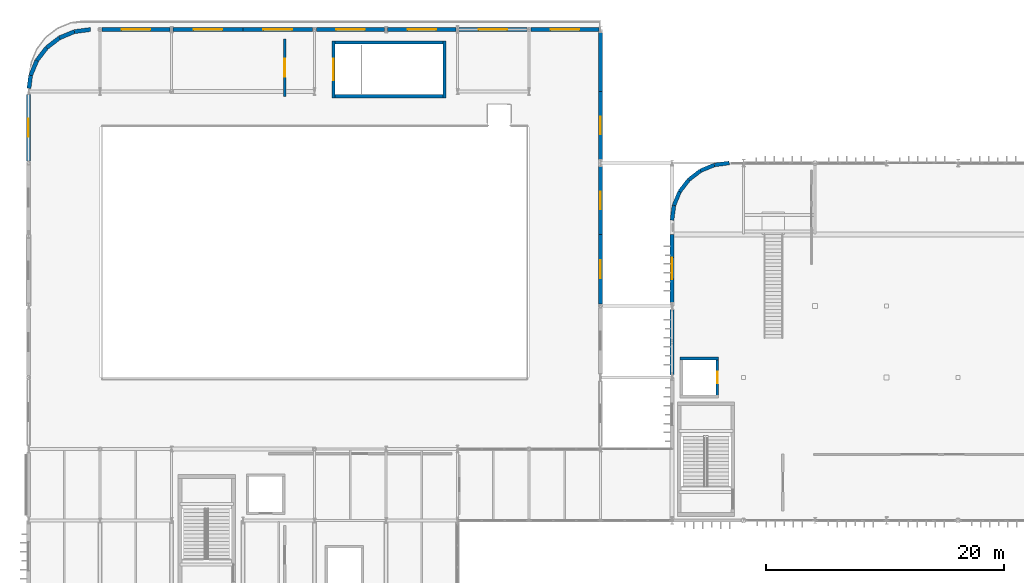
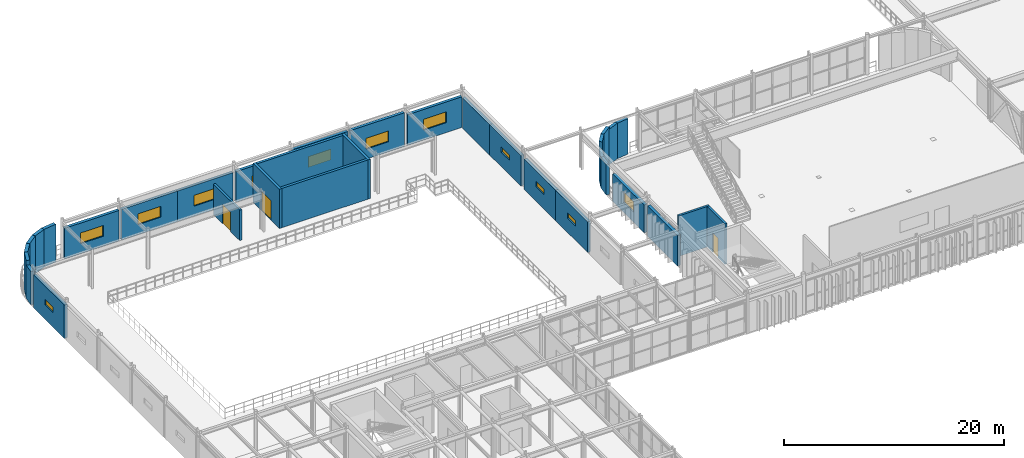
# One storey, part 59 of 84: 33 walls, 12 windows, 3 doors, 15 openings.
"""IFC4 building model written with IfcOpenShell, lengths in metres."""

import ifcopenshell
import ifcopenshell.guid

model = None  # the IFC model being written
_history = None  # IfcOwnerHistory: only IFC2X3 demands one
_inside = {}  # id of a spatial element -> (the spatial element, [elements in it])
_under = {}  # id of a project, library or spatial element -> (it, [spatial elements below it])
_declared = {}  # id of a project -> (the project, [libraries it declares])
_typed = {}  # id of a type object -> (the type object, [elements of that type])
_made_of = {}  # id of a material, layer set ... -> (it, [elements and type objects made of it])


def new_model(schema):
    """Start an empty IFC model of exactly this schema.

    Asked for "IFC4X3", IfcOpenShell would pick the latest addendum, in which some entities
    have other attributes; the version numbers below select the first issue.
    IFC2X3 requires an IfcOwnerHistory on every rooted entity: one is made here for all.
    """
    global model, _history
    if schema == "IFC4X3":
        model = ifcopenshell.file(schema_version=(4, 3, 0, 0))
    else:
        model = ifcopenshell.file(schema=schema)
    _inside.clear()
    _under.clear()
    _declared.clear()
    _typed.clear()
    _made_of.clear()
    _history = None
    if model.schema == "IFC2X3":
        org = make("IfcOrganization", Name="unknown")
        user = make(
            "IfcPersonAndOrganization",
            ThePerson=make("IfcPerson", FamilyName="unknown"),
            TheOrganization=org,
        )
        app = make(
            "IfcApplication",
            ApplicationDeveloper=org,
            Version="unknown",
            ApplicationFullName="unknown",
            ApplicationIdentifier="unknown",
        )
        _history = make(
            "IfcOwnerHistory",
            OwningUser=user,
            OwningApplication=app,
            ChangeAction="ADDED",
            CreationDate=0,
        )
    return model


def make(cls, **values):
    """One entity of the class cls with the attributes given. An attribute that is None is left unset."""
    return model.create_entity(
        cls, **{name: value for name, value in values.items() if value is not None}
    )


def rooted(cls, **values):
    """An entity with a GlobalId (a new one), such as an element, a storey or a relation."""
    return make(cls, GlobalId=ifcopenshell.guid.new(), OwnerHistory=_history, **values)


def si_unit(unit_type, name, prefix=None):
    """IfcSIUnit, for example si_unit("LENGTHUNIT", "METRE", prefix="MILLI")."""
    return make("IfcSIUnit", UnitType=unit_type, Prefix=prefix, Name=name)


def assignment(units):
    """IfcUnitAssignment: the units of a project."""
    return None if units is None else make("IfcUnitAssignment", Units=units)


def point(xyz):
    """IfcCartesianPoint."""
    return None if xyz is None else make("IfcCartesianPoint", Coordinates=xyz)


def direction(xyz):
    """IfcDirection."""
    return None if xyz is None else make("IfcDirection", DirectionRatios=xyz)


def frame(location, z_axis=None, x_axis=None):
    """IfcAxis2Placement3D, a coordinate frame: its origin and axes. An axis left out is left unset."""
    return make(
        "IfcAxis2Placement3D",
        Location=point(location),
        Axis=direction(z_axis),
        RefDirection=direction(x_axis),
    )


def frame_2d(location, x_axis=None):
    """IfcAxis2Placement2D, a coordinate frame in the plane: its origin and x axis."""
    return make(
        "IfcAxis2Placement2D", Location=point(location), RefDirection=direction(x_axis)
    )


def origin():
    """The frame at (0, 0, 0) with its axes left unset."""
    return frame((0.0, 0.0, 0.0))


def place(relative_to, where):
    """IfcLocalPlacement: puts the frame where relative to a parent placement (None: the world)."""
    return make(
        "IfcLocalPlacement", PlacementRelTo=relative_to, RelativePlacement=where
    )


def context(
    kind, dimensions, precision=None, world=None, true_north=None, identifier=None
):
    """IfcGeometricRepresentationContext, for example the 3D "Model" context."""
    return make(
        "IfcGeometricRepresentationContext",
        ContextIdentifier=identifier,
        ContextType=kind,
        CoordinateSpaceDimension=dimensions,
        Precision=precision,
        WorldCoordinateSystem=world,
        TrueNorth=true_north,
    )


def subcontext(parent, identifier, kind, view, scale=None):
    """IfcGeometricRepresentationSubContext, for example "Body" below "Model"."""
    return make(
        "IfcGeometricRepresentationSubContext",
        ContextIdentifier=identifier,
        ContextType=kind,
        ParentContext=parent,
        TargetScale=scale,
        TargetView=view,
    )


def project(units=None, contexts=None):
    """IfcProject with its units and contexts."""
    return rooted(
        "IfcProject",
        Name="project",
        RepresentationContexts=contexts,
        UnitsInContext=assignment(units),
    )


def spatial(cls, under=None, at=None, **own):
    """A site, building, storey or space (cls), placed at a placement, below another one or the project."""
    s = rooted(cls, ObjectPlacement=at, **own)
    if under is not None:
        _under.setdefault(under.id(), (under, []))[1].append(s)
    return s


def profile(cls, at=None, kind="AREA", **sizes):
    """A parametric profile (cls). Its sizes go by their IFC names, for example OverallWidth=200.0."""
    return make(cls, ProfileType=kind, Position=at, **sizes)


def rectangle(**sizes):
    """IfcRectangleProfileDef."""
    return profile("IfcRectangleProfileDef", **sizes)


def extrude(swept, where, along, depth):
    """IfcExtrudedAreaSolid: the profile swept, set in the frame where, extruded along a direction by depth."""
    return make(
        "IfcExtrudedAreaSolid",
        SweptArea=swept,
        Position=where,
        ExtrudedDirection=direction(along),
        Depth=depth,
    )


def shape(context_of_items, identifier, shape_type, items):
    """IfcShapeRepresentation: the items that make up one representation, for example the "Body"."""
    return make(
        "IfcShapeRepresentation",
        ContextOfItems=context_of_items,
        RepresentationIdentifier=identifier,
        RepresentationType=shape_type,
        Items=items,
    )


def material(Name=None, Category=None):
    """IfcMaterial."""
    return make("IfcMaterial", Name=Name, Category=Category)


def layer(
    of_material, thickness, ventilated=None, Name=None, Category=None, Priority=None
):
    """IfcMaterialLayer: one layer of a wall or slab, of a material (None: an air gap)."""
    return make(
        "IfcMaterialLayer",
        Material=of_material,
        LayerThickness=thickness,
        IsVentilated=ventilated,
        Name=Name,
        Category=Category,
        Priority=Priority,
    )


def layer_set(layers, Name=None):
    """IfcMaterialLayerSet."""
    return make("IfcMaterialLayerSet", MaterialLayers=layers, LayerSetName=Name)


def made_of(thing, what):
    """Note that an element or type object is made of a material, layer set ...; save() writes the relation."""
    if what is not None:
        _made_of.setdefault(what.id(), (what, []))[1].append(thing)
    return thing


def type_object(cls, material=None, **own):
    """A type object (cls), such as IfcWallType, which elements share."""
    return made_of(rooted(cls, **own), material)


def element(
    cls,
    number,
    at=None,
    inside=None,
    cuts=None,
    type_object=None,
    material=None,
    context=None,
    identifier="Body",
    shape_type=None,
    held_by="IfcProductDefinitionShape",
    body=None,
    shapes=None,
    **own,
):
    """One element of the class cls, such as IfcWall. Its Tag is "e" and its number.

    at: its placement. inside: the storey or other place that contains it. cuts: it is an
    opening in that element (IfcRelVoidsElement). A single representation is given by context,
    identifier, shape_type and body (its items); several are given by shapes. held_by: the class
    of the entity that holds the representations. save() writes the other relations.
    """
    e = rooted(cls, Tag="e%d" % number, ObjectPlacement=at, **own)
    if body is not None:
        shapes = [shape(context, identifier, shape_type, body)]
    if shapes is not None:
        e.Representation = make(held_by, Representations=shapes)
    if inside is not None:
        _inside.setdefault(inside.id(), (inside, []))[1].append(e)
    if cuts is not None:
        rooted(
            "IfcRelVoidsElement", RelatingBuildingElement=cuts, RelatedOpeningElement=e
        )
    if type_object is not None:
        _typed.setdefault(type_object.id(), (type_object, []))[1].append(e)
    return made_of(e, material)


def fill(opening, filler):
    """IfcRelFillsElement: the door or window that sits in an opening."""
    return rooted(
        "IfcRelFillsElement",
        RelatingOpeningElement=opening,
        RelatedBuildingElement=filler,
    )


def aggregate(whole, parts):
    """IfcRelAggregates: a whole, such as a stair, and the parts it consists of."""
    return rooted("IfcRelAggregates", RelatingObject=whole, RelatedObjects=parts)


def save(model, path):
    """Write the relations noted so far, then the file.

    IfcRelAggregates (storeys below a building ...), IfcRelContainedInSpatialStructure (elements
    in a storey), IfcRelDefinesByType, IfcRelAssociatesMaterial and IfcRelDeclares: one each for
    every whole, place, type object, material and project.
    """
    for whole, parts in _under.values():
        aggregate(whole, parts)
    for where, things in _inside.values():
        rooted(
            "IfcRelContainedInSpatialStructure",
            RelatedElements=things,
            RelatingStructure=where,
        )
    for kind, things in _typed.values():
        rooted("IfcRelDefinesByType", RelatedObjects=things, RelatingType=kind)
    for what, things in _made_of.values():
        rooted("IfcRelAssociatesMaterial", RelatedObjects=things, RelatingMaterial=what)
    for by, libraries in _declared.values():
        rooted("IfcRelDeclares", RelatingContext=by, RelatedDefinitions=libraries)
    model.write(path)


model = new_model("IFC4")

# Units and contexts
model_context = context("Model", 3, precision=1e-05, world=origin(), true_north=direction((0.0, 1.0)))
body_context = subcontext(model_context, "Body", "Model", "MODEL_VIEW")
ifc_project = project(units=[si_unit("LENGTHUNIT", "METRE"), si_unit("AREAUNIT", "SQUARE_METRE"), si_unit("VOLUMEUNIT", "CUBIC_METRE"), si_unit("PLANEANGLEUNIT", "RADIAN"), si_unit("MASSUNIT", "GRAM", prefix="KILO")], contexts=[model_context])

# Site, building, storey
site_placement = place(None, origin())
site = spatial("IfcSite", under=ifc_project, at=site_placement, CompositionType="ELEMENT")
building_placement = place(site_placement, origin())
building = spatial("IfcBuilding", under=site, at=building_placement, Name="Varnakota Square Police Headquarters", CompositionType="ELEMENT")
storey_placement = place(building_placement, frame((0.0, 0.0, 13.5)))
storey = spatial("IfcBuildingStorey", under=building, at=storey_placement, Name="L03", CompositionType="ELEMENT", Elevation=13.5)

# Wall, opening, door
ifc_material_1 = material(Name="Concrete M40", Category="concrete")
ifc_layer_1 = layer(ifc_material_1, 0.22998046875, Name="Concrete M40")
ifc_layer_set_1 = layer_set([ifc_layer_1], Name="Concrete M40")
wall_type_1 = type_object("IfcWallType", Name="WL-CORE-230", PredefinedType="SHEAR", material=ifc_layer_set_1)
wall_1_placement = place(storey_placement, frame((63.800048828125, 79.284912109375, 0.0), z_axis=(0.0, 0.0, 1.0), x_axis=(0.0, 1.0, 0.0)))
wall_1 = element("IfcWall", 1, at=wall_1_placement, inside=storey, type_object=wall_type_1, Name="Lift shaft wall LF-P4 L03 E", PredefinedType="SHEAR", context=body_context, shape_type="SweptSolid", body=[
    extrude(rectangle(XDim=3.43017578125, YDim=0.22998046875, at=frame_2d((1.715087890625, 0.0))), origin(), (0.0, 0.0, 1.0), 4.5),
])
opening_1_placement = place(wall_1_placement, frame((1.215087890625, 0.0, 0.0)))
opening_1 = element("IfcOpeningElement", 2, at=opening_1_placement, cuts=wall_1, Name="Opening LD042", PredefinedType="OPENING", context=body_context, shape_type="SweptSolid", body=[
    extrude(rectangle(XDim=1.0, YDim=2.14990234375, at=frame_2d((0.5, 1.074951171875))), frame((0.0, 0.125, 0.0), z_axis=(0.0, -1.0, 0.0), x_axis=(1.0, 0.0, 0.0)), (0.0, 0.0, 1.0), 0.25),
])
ifc_material_2 = material(Name="Brushed Grade 316 Stainless Steel", Category="steel")
door_type_1 = type_object("IfcDoorType", Name="DR-LD-PAX", OperationType="NOTDEFINED", PredefinedType="DOOR", material=ifc_material_2)
door_1_placement = place(opening_1_placement, origin())
door_1 = element("IfcDoor", 3, at=door_1_placement, inside=storey, type_object=door_type_1, Name="Lift sliding landing door LD042", OperationType="SLIDING_TO_LEFT", OverallHeight=2.14990234375, OverallWidth=1.0, PredefinedType="DOOR", context=body_context, shape_type="SweptSolid", body=[
    extrude(rectangle(XDim=1.0, YDim=2.14990234375, at=frame_2d((0.5, 1.074951171875))), frame((0.0, 0.02490234375, 0.0), z_axis=(0.0, -1.0, 0.0), x_axis=(1.0, 0.0, 0.0)), (0.0, 0.0, 1.0), 0.050048828125),
])
fill(opening_1, door_1)

# Walls
wall_2_placement = place(storey_placement, frame((63.9150390625, 82.60009765625, 0.0), z_axis=(0.0, 0.0, 1.0), x_axis=(-1.0, 0.0, 0.0)))
element("IfcWall", 4, at=wall_2_placement, inside=storey, type_object=wall_type_1, Name="Lift shaft wall LF-P4 L03 N", PredefinedType="SHEAR", context=body_context, shape_type="SweptSolid", body=[
    extrude(rectangle(XDim=3.22998046875, YDim=0.22998046875, at=frame_2d((1.614990234375, 0.0))), origin(), (0.0, 0.0, 1.0), 4.5),
])
ifc_material_3 = material(Name="Concrete M50", Category="concrete")
ifc_layer_2 = layer(ifc_material_3, 0.27001953125, Name="Concrete M50")
ifc_layer_set_2 = layer_set([ifc_layer_2], Name="Concrete M50")
wall_type_2 = type_object("IfcWallType", Name="WL-CORE-270", PredefinedType="SHEAR", material=ifc_layer_set_2)
wall_3_placement = place(storey_placement, frame((31.465087890625, 104.60009765625, 0.0), z_axis=(0.0, 0.0, 1.0), x_axis=(1.0, 0.0, 0.0)))
element("IfcWall", 5, at=wall_3_placement, inside=storey, type_object=wall_type_2, Name="Core C7 shear wall L03 S", PredefinedType="SHEAR", context=body_context, shape_type="SweptSolid", body=[
    extrude(rectangle(XDim=9.56982421875, YDim=0.27001953125, at=frame_2d((4.784912109375, 0.0))), origin(), (0.0, 0.0, 1.0), 4.360107421875),
])
wall_4_placement = place(storey_placement, frame((40.89990234375, 104.465087890625, 0.0), z_axis=(0.0, 0.0, 1.0), x_axis=(0.0, 1.0, 0.0)))
element("IfcWall", 6, at=wall_4_placement, inside=storey, type_object=wall_type_2, Name="Core C7 shear wall L03 E", PredefinedType="SHEAR", context=body_context, shape_type="SweptSolid", body=[
    extrude(rectangle(XDim=4.77001953125, YDim=0.27001953125, at=frame_2d((2.385009765625, 0.0))), origin(), (0.0, 0.0, 1.0), 4.360107421875),
])
wall_5_placement = place(storey_placement, frame((41.034912109375, 109.10009765625, 0.0), z_axis=(0.0, 0.0, 1.0), x_axis=(-1.0, 0.0, 0.0)))
element("IfcWall", 7, at=wall_5_placement, inside=storey, type_object=wall_type_2, Name="Core C7 shear wall L03 N", PredefinedType="SHEAR", context=body_context, shape_type="SweptSolid", body=[
    extrude(rectangle(XDim=9.56982421875, YDim=0.27001953125, at=frame_2d((4.784912109375, 0.0))), origin(), (0.0, 0.0, 1.0), 4.360107421875),
])

# Wall, opening, door
wall_6_placement = place(storey_placement, frame((31.60009765625, 109.235107421875, 0.0), z_axis=(0.0, 0.0, 1.0), x_axis=(0.0, -1.0, 0.0)))
wall_6 = element("IfcWall", 8, at=wall_6_placement, inside=storey, type_object=wall_type_2, Name="Core C7 shear wall L03 W", PredefinedType="SHEAR", context=body_context, shape_type="SweptSolid", body=[
    extrude(rectangle(XDim=4.77001953125, YDim=0.27001953125, at=frame_2d((2.385009765625, 0.0))), origin(), (0.0, 0.0, 1.0), 4.360107421875),
])
opening_2_placement = place(wall_6_placement, frame((1.485107421875, 0.0, 0.0)))
opening_2 = element("IfcOpeningElement", 9, at=opening_2_placement, cuts=wall_6, Name="Opening SD107", PredefinedType="OPENING", context=body_context, shape_type="SweptSolid", body=[
    extrude(rectangle(XDim=1.800048828125, YDim=2.199951171875, at=frame_2d((0.89990234375, 1.10009765625))), frame((0.0, 0.14501953125, 0.0), z_axis=(0.0, -1.0, 0.0), x_axis=(1.0, 0.0, 0.0)), (0.0, 0.0, 1.0), 0.2900390625),
])
ifc_material_4 = material(Name="Powder-Coated Galvanised Steel", Category="steel")
door_type_2 = type_object("IfcDoorType", Name="DR-ST-180", OperationType="NOTDEFINED", PredefinedType="DOOR", material=ifc_material_4)
door_2_placement = place(opening_2_placement, origin())
door_2 = element("IfcDoor", 10, at=door_2_placement, inside=storey, type_object=door_type_2, Name="Protected stair door SD107", OperationType="DOUBLE_DOOR_SINGLE_SWING", OverallHeight=2.199951171875, OverallWidth=1.800048828125, PredefinedType="DOOR", context=body_context, shape_type="SweptSolid", body=[
    extrude(rectangle(XDim=1.800048828125, YDim=2.199951171875, at=frame_2d((0.89990234375, 1.10009765625))), frame((0.0, 0.02490234375, 0.0), z_axis=(0.0, -1.0, 0.0), x_axis=(1.0, 0.0, 0.0)), (0.0, 0.0, 1.0), 0.050048828125),
])
fill(opening_2, door_2)

# Wall, opening, window
ifc_material_5 = material(Name="Precast concrete M40", Category="concrete")
ifc_layer_3 = layer(ifc_material_5, 0.300048828125, Name="Precast concrete M40")
ifc_layer_set_3 = layer_set([ifc_layer_3], Name="Precast concrete M40")
wall_type_3 = type_object("IfcWallType", Name="WL-EXT-300", PredefinedType="SOLIDWALL", material=ifc_layer_set_3)
wall_7_placement = place(storey_placement, frame((12.166015625, 110.199951171875, 0.0), z_axis=(0.0, 0.0, 1.0), x_axis=(1.0, 0.0, 0.0)))
wall_7 = element("IfcWall", 11, at=wall_7_placement, inside=storey, type_object=wall_type_3, Name="Exterior wall EW-L03-0632", PredefinedType="SOLIDWALL", context=body_context, shape_type="SweptSolid", body=[
    extrude(rectangle(XDim=5.705078125, YDim=0.300048828125, at=frame_2d((2.8525390625, 0.0))), origin(), (0.0, 0.0, 1.0), 3.389892578125),
])
opening_3_placement = place(wall_7_placement, frame((1.652587890625, 0.0, 1.10009765625)))
opening_3 = element("IfcOpeningElement", 12, at=opening_3_placement, cuts=wall_7, Name="Opening W06", PredefinedType="OPENING", context=body_context, shape_type="SweptSolid", body=[
    extrude(rectangle(XDim=2.39990234375, YDim=1.199951171875, at=frame_2d((1.199951171875, 0.60009765625))), frame((0.0, 0.159912109375, 0.0), z_axis=(0.0, -1.0, 0.0), x_axis=(1.0, 0.0, 0.0)), (0.0, 0.0, 1.0), 0.320068359375),
])
ifc_material_6 = material(Name="Thermally Broken Aluminium Double-Glazed Window", Category="aluminium")
window_type_1 = type_object("IfcWindowType", Name="WIN-06", PartitioningType="SINGLE_PANEL", PredefinedType="WINDOW", material=ifc_material_6)
window_1_placement = place(opening_3_placement, origin())
window_1 = element("IfcWindow", 13, at=window_1_placement, inside=storey, type_object=window_type_1, Name="Window WN-L03-0150", OverallHeight=1.199951171875, OverallWidth=2.39990234375, PartitioningType="SINGLE_PANEL", PredefinedType="WINDOW", context=body_context, shape_type="SweptSolid", body=[
    extrude(rectangle(XDim=2.39990234375, YDim=1.199951171875, at=frame_2d((1.199951171875, 0.60009765625))), frame((0.0, 0.030029296875, 0.0), z_axis=(0.0, -1.0, 0.0), x_axis=(1.0, 0.0, 0.0)), (0.0, 0.0, 1.0), 0.06005859375),
])
fill(opening_3, window_1)

wall_8_placement = place(storey_placement, frame((18.12890625, 110.199951171875, 0.0), z_axis=(0.0, 0.0, 1.0), x_axis=(1.0, 0.0, 0.0)))
wall_8 = element("IfcWall", 14, at=wall_8_placement, inside=storey, type_object=wall_type_3, Name="Exterior wall EW-L03-0633", PredefinedType="SOLIDWALL", context=body_context, shape_type="SweptSolid", body=[
    extrude(rectangle(XDim=5.87109375, YDim=0.300048828125, at=frame_2d((2.935546875, 0.0))), origin(), (0.0, 0.0, 1.0), 3.389892578125),
])
opening_4_placement = place(wall_8_placement, frame((1.735595703125, 0.0, 1.10009765625)))
opening_4 = element("IfcOpeningElement", 15, at=opening_4_placement, cuts=wall_8, Name="Opening W06", PredefinedType="OPENING", context=body_context, shape_type="SweptSolid", body=[
    extrude(rectangle(XDim=2.39990234375, YDim=1.199951171875, at=frame_2d((1.199951171875, 0.60009765625))), frame((0.0, 0.159912109375, 0.0), z_axis=(0.0, -1.0, 0.0), x_axis=(1.0, 0.0, 0.0)), (0.0, 0.0, 1.0), 0.320068359375),
])
window_2_placement = place(opening_4_placement, origin())
window_2 = element("IfcWindow", 16, at=window_2_placement, inside=storey, type_object=window_type_1, Name="Window WN-L03-0151", OverallHeight=1.199951171875, OverallWidth=2.39990234375, PartitioningType="SINGLE_PANEL", PredefinedType="WINDOW", context=body_context, shape_type="SweptSolid", body=[
    extrude(rectangle(XDim=2.39990234375, YDim=1.199951171875, at=frame_2d((1.199951171875, 0.60009765625))), frame((0.0, 0.030029296875, 0.0), z_axis=(0.0, -1.0, 0.0), x_axis=(1.0, 0.0, 0.0)), (0.0, 0.0, 1.0), 0.06005859375),
])
fill(opening_4, window_2)

wall_9_placement = place(storey_placement, frame((24.0, 110.199951171875, 0.0), z_axis=(0.0, 0.0, 1.0), x_axis=(1.0, 0.0, 0.0)))
wall_9 = element("IfcWall", 17, at=wall_9_placement, inside=storey, type_object=wall_type_3, Name="Exterior wall EW-L03-0634", PredefinedType="SOLIDWALL", context=body_context, shape_type="SweptSolid", body=[
    extrude(rectangle(XDim=5.833984375, YDim=0.300048828125, at=frame_2d((2.9169921875, 0.0))), origin(), (0.0, 0.0, 1.0), 3.389892578125),
])
opening_5_placement = place(wall_9_placement, frame((1.717041015625, 0.0, 1.10009765625)))
opening_5 = element("IfcOpeningElement", 18, at=opening_5_placement, cuts=wall_9, Name="Opening W06", PredefinedType="OPENING", context=body_context, shape_type="SweptSolid", body=[
    extrude(rectangle(XDim=2.39990234375, YDim=1.199951171875, at=frame_2d((1.199951171875, 0.60009765625))), frame((0.0, 0.159912109375, 0.0), z_axis=(0.0, -1.0, 0.0), x_axis=(1.0, 0.0, 0.0)), (0.0, 0.0, 1.0), 0.320068359375),
])
window_3_placement = place(opening_5_placement, origin())
window_3 = element("IfcWindow", 19, at=window_3_placement, inside=storey, type_object=window_type_1, Name="Window WN-L03-0152", OverallHeight=1.199951171875, OverallWidth=2.39990234375, PartitioningType="SINGLE_PANEL", PredefinedType="WINDOW", context=body_context, shape_type="SweptSolid", body=[
    extrude(rectangle(XDim=2.39990234375, YDim=1.199951171875, at=frame_2d((1.199951171875, 0.60009765625))), frame((0.0, 0.030029296875, 0.0), z_axis=(0.0, -1.0, 0.0), x_axis=(1.0, 0.0, 0.0)), (0.0, 0.0, 1.0), 0.06005859375),
])
fill(opening_5, window_3)

wall_10_placement = place(storey_placement, frame((30.166015625, 110.199951171875, 0.0), z_axis=(0.0, 0.0, 1.0), x_axis=(1.0, 0.0, 0.0)))
wall_10 = element("IfcWall", 20, at=wall_10_placement, inside=storey, type_object=wall_type_3, Name="Exterior wall EW-L03-0635", PredefinedType="SOLIDWALL", context=body_context, shape_type="SweptSolid", body=[
    extrude(rectangle(XDim=5.705078125, YDim=0.300048828125, at=frame_2d((2.8525390625, 0.0))), origin(), (0.0, 0.0, 1.0), 3.389892578125),
])
opening_6_placement = place(wall_10_placement, frame((1.652587890625, 0.0, 1.10009765625)))
opening_6 = element("IfcOpeningElement", 21, at=opening_6_placement, cuts=wall_10, Name="Opening W06", PredefinedType="OPENING", context=body_context, shape_type="SweptSolid", body=[
    extrude(rectangle(XDim=2.39990234375, YDim=1.199951171875, at=frame_2d((1.199951171875, 0.60009765625))), frame((0.0, 0.159912109375, 0.0), z_axis=(0.0, -1.0, 0.0), x_axis=(1.0, 0.0, 0.0)), (0.0, 0.0, 1.0), 0.320068359375),
])
window_4_placement = place(opening_6_placement, origin())
window_4 = element("IfcWindow", 22, at=window_4_placement, inside=storey, type_object=window_type_1, Name="Window WN-L03-0153", OverallHeight=1.199951171875, OverallWidth=2.39990234375, PartitioningType="SINGLE_PANEL", PredefinedType="WINDOW", context=body_context, shape_type="SweptSolid", body=[
    extrude(rectangle(XDim=2.39990234375, YDim=1.199951171875, at=frame_2d((1.199951171875, 0.60009765625))), frame((0.0, 0.030029296875, 0.0), z_axis=(0.0, -1.0, 0.0), x_axis=(1.0, 0.0, 0.0)), (0.0, 0.0, 1.0), 0.06005859375),
])
fill(opening_6, window_4)

wall_11_placement = place(storey_placement, frame((36.12890625, 110.199951171875, 0.0), z_axis=(0.0, 0.0, 1.0), x_axis=(1.0, 0.0, 0.0)))
wall_11 = element("IfcWall", 23, at=wall_11_placement, inside=storey, type_object=wall_type_3, Name="Exterior wall EW-L03-0636", PredefinedType="SOLIDWALL", context=body_context, shape_type="SweptSolid", body=[
    extrude(rectangle(XDim=5.76220703125, YDim=0.300048828125, at=frame_2d((2.881103515625, 0.0))), origin(), (0.0, 0.0, 1.0), 3.739990234375),
])
opening_7_placement = place(wall_11_placement, frame((1.680908203125, 0.0, 1.10009765625)))
opening_7 = element("IfcOpeningElement", 24, at=opening_7_placement, cuts=wall_11, Name="Opening W06", PredefinedType="OPENING", context=body_context, shape_type="SweptSolid", body=[
    extrude(rectangle(XDim=2.39990234375, YDim=1.199951171875, at=frame_2d((1.199951171875, 0.60009765625))), frame((0.0, 0.159912109375, 0.0), z_axis=(0.0, -1.0, 0.0), x_axis=(1.0, 0.0, 0.0)), (0.0, 0.0, 1.0), 0.320068359375),
])
window_5_placement = place(opening_7_placement, origin())
window_5 = element("IfcWindow", 25, at=window_5_placement, inside=storey, type_object=window_type_1, Name="Window WN-L03-0154", OverallHeight=1.199951171875, OverallWidth=2.39990234375, PartitioningType="SINGLE_PANEL", PredefinedType="WINDOW", context=body_context, shape_type="SweptSolid", body=[
    extrude(rectangle(XDim=2.39990234375, YDim=1.199951171875, at=frame_2d((1.199951171875, 0.60009765625))), frame((0.0, 0.030029296875, 0.0), z_axis=(0.0, -1.0, 0.0), x_axis=(1.0, 0.0, 0.0)), (0.0, 0.0, 1.0), 0.06005859375),
])
fill(opening_7, window_5)

wall_12_placement = place(storey_placement, frame((42.10888671875, 110.199951171875, 0.0), z_axis=(0.0, 0.0, 1.0), x_axis=(1.0, 0.0, 0.0)))
wall_12 = element("IfcWall", 26, at=wall_12_placement, inside=storey, type_object=wall_type_3, Name="Exterior wall EW-L03-0637", PredefinedType="SOLIDWALL", context=body_context, shape_type="SweptSolid", body=[
    extrude(rectangle(XDim=5.72509765625, YDim=0.300048828125, at=frame_2d((2.862548828125, 0.0))), origin(), (0.0, 0.0, 1.0), 3.739990234375),
])
opening_8_placement = place(wall_12_placement, frame((1.66259765625, 0.0, 1.10009765625)))
opening_8 = element("IfcOpeningElement", 27, at=opening_8_placement, cuts=wall_12, Name="Opening W06", PredefinedType="OPENING", context=body_context, shape_type="SweptSolid", body=[
    extrude(rectangle(XDim=2.39990234375, YDim=1.199951171875, at=frame_2d((1.199951171875, 0.60009765625))), frame((0.0, 0.159912109375, 0.0), z_axis=(0.0, -1.0, 0.0), x_axis=(1.0, 0.0, 0.0)), (0.0, 0.0, 1.0), 0.320068359375),
])
window_6_placement = place(opening_8_placement, origin())
window_6 = element("IfcWindow", 28, at=window_6_placement, inside=storey, type_object=window_type_1, Name="Window WN-L03-0155", OverallHeight=1.199951171875, OverallWidth=2.39990234375, PartitioningType="SINGLE_PANEL", PredefinedType="WINDOW", context=body_context, shape_type="SweptSolid", body=[
    extrude(rectangle(XDim=2.39990234375, YDim=1.199951171875, at=frame_2d((1.199951171875, 0.60009765625))), frame((0.0, 0.030029296875, 0.0), z_axis=(0.0, -1.0, 0.0), x_axis=(1.0, 0.0, 0.0)), (0.0, 0.0, 1.0), 0.06005859375),
])
fill(opening_8, window_6)

wall_13_placement = place(storey_placement, frame((48.166015625, 110.199951171875, 0.0), z_axis=(0.0, 0.0, 1.0), x_axis=(1.0, 0.0, 0.0)))
wall_13 = element("IfcWall", 29, at=wall_13_placement, inside=storey, type_object=wall_type_3, Name="Exterior wall EW-L03-0638", PredefinedType="SOLIDWALL", context=body_context, shape_type="SweptSolid", body=[
    extrude(rectangle(XDim=5.705078125, YDim=0.300048828125, at=frame_2d((2.8525390625, 0.0))), origin(), (0.0, 0.0, 1.0), 3.389892578125),
])
opening_9_placement = place(wall_13_placement, frame((1.652587890625, 0.0, 1.10009765625)))
opening_9 = element("IfcOpeningElement", 30, at=opening_9_placement, cuts=wall_13, Name="Opening W06", PredefinedType="OPENING", context=body_context, shape_type="SweptSolid", body=[
    extrude(rectangle(XDim=2.39990234375, YDim=1.199951171875, at=frame_2d((1.199951171875, 0.60009765625))), frame((0.0, 0.159912109375, 0.0), z_axis=(0.0, -1.0, 0.0), x_axis=(1.0, 0.0, 0.0)), (0.0, 0.0, 1.0), 0.320068359375),
])
window_7_placement = place(opening_9_placement, origin())
window_7 = element("IfcWindow", 31, at=window_7_placement, inside=storey, type_object=window_type_1, Name="Window WN-L03-0156", OverallHeight=1.199951171875, OverallWidth=2.39990234375, PartitioningType="SINGLE_PANEL", PredefinedType="WINDOW", context=body_context, shape_type="SweptSolid", body=[
    extrude(rectangle(XDim=2.39990234375, YDim=1.199951171875, at=frame_2d((1.199951171875, 0.60009765625))), frame((0.0, 0.030029296875, 0.0), z_axis=(0.0, -1.0, 0.0), x_axis=(1.0, 0.0, 0.0)), (0.0, 0.0, 1.0), 0.06005859375),
])
fill(opening_9, window_7)

# Wall
ifc_layer_4 = layer(ifc_material_5, 0.320068359375, Name="Precast concrete M40")
ifc_layer_set_4 = layer_set([ifc_layer_4], Name="Precast concrete M40")
wall_type_4 = type_object("IfcWallType", Name="WL-EXT-320", PredefinedType="SOLIDWALL", material=ifc_layer_set_4)
wall_14_placement = place(storey_placement, frame((60.0, 81.22900390625, 0.0), z_axis=(0.0, 0.0, 1.0), x_axis=(0.0, 1.0, 0.0)))
element("IfcWall", 32, at=wall_14_placement, inside=storey, type_object=wall_type_4, Name="Exterior wall EW-L03-0522", PredefinedType="SOLIDWALL", context=body_context, shape_type="SweptSolid", body=[
    extrude(rectangle(XDim=5.467041015625, YDim=0.320068359375, at=frame_2d((2.7333984375, 0.0))), origin(), (0.0, 0.0, 1.0), 3.389892578125),
])

# Wall, opening, window
wall_15_placement = place(storey_placement, frame((60.0, 87.303955078125, 0.0), z_axis=(0.0, 0.0, 1.0), x_axis=(0.0, 1.0, 0.0)))
wall_15 = element("IfcWall", 33, at=wall_15_placement, inside=storey, type_object=wall_type_4, Name="Exterior wall EW-L03-0523", PredefinedType="SOLIDWALL", context=body_context, shape_type="SweptSolid", body=[
    extrude(rectangle(XDim=5.696044921875, YDim=0.320068359375, at=frame_2d((2.84814453125, 0.0))), origin(), (0.0, 0.0, 1.0), 3.090087890625),
])
opening_10_placement = place(wall_15_placement, frame((1.947998046875, 0.0, 1.10009765625)))
opening_10 = element("IfcOpeningElement", 34, at=opening_10_placement, cuts=wall_15, Name="Opening W05", PredefinedType="OPENING", context=body_context, shape_type="SweptSolid", body=[
    extrude(rectangle(XDim=1.800048828125, YDim=1.199951171875, at=frame_2d((0.89990234375, 0.60009765625))), frame((0.0, 0.169921875, 0.0), z_axis=(0.0, -1.0, 0.0), x_axis=(1.0, 0.0, 0.0)), (0.0, 0.0, 1.0), 0.340087890625),
])
window_type_2 = type_object("IfcWindowType", Name="WIN-05", PartitioningType="SINGLE_PANEL", PredefinedType="WINDOW", material=ifc_material_6)
window_8_placement = place(opening_10_placement, origin())
window_8 = element("IfcWindow", 35, at=window_8_placement, inside=storey, type_object=window_type_2, Name="Window WN-L03-0122", OverallHeight=1.199951171875, OverallWidth=1.800048828125, PartitioningType="SINGLE_PANEL", PredefinedType="WINDOW", context=body_context, shape_type="SweptSolid", body=[
    extrude(rectangle(XDim=1.800048828125, YDim=1.199951171875, at=frame_2d((0.89990234375, 0.60009765625))), frame((0.0, 0.030029296875, 0.0), z_axis=(0.0, -1.0, 0.0), x_axis=(1.0, 0.0, 0.0)), (0.0, 0.0, 1.0), 0.06005859375),
])
fill(opening_10, window_8)

# Walls
for number, where, z_axis, x_axis, name in (
    (36, (64.800048828125, 99.0, 0.0), (0.0, 0.0, 1.0), (-0.991444346045, -0.130530106475, 0.0), "Exterior wall EW-L03-0524"),
    (37, (63.5576171875, 98.83642578125, 0.0), (0.0, 0.0, 1.0), (-0.92389335771, -0.382650053678, 0.0), "Exterior wall EW-L03-0525"),
):
    element("IfcWall", number, at=place(storey_placement, frame(where, z_axis=z_axis, x_axis=x_axis)), inside=storey, type_object=wall_type_4, Name=name, PredefinedType="SOLIDWALL", context=body_context, shape_type="SweptSolid", body=[
        extrude(rectangle(XDim=1.253173828125, YDim=0.320068359375, at=frame_2d((0.62646484375, 0.0))), origin(), (0.0, 0.0, 1.0), 3.93994140625),
    ])
for number, where, z_axis, x_axis, name in (
    (38, (62.39990234375, 98.35693359375, 0.0), (0.0, 0.0, 1.0), (-0.793239285824, -0.60891003886, 0.0), "Exterior wall EW-L03-0526"),
    (39, (61.406005859375, 97.593994140625, 0.0), (0.0, 0.0, 1.0), (-0.60891003886, -0.793239285824, 0.0), "Exterior wall EW-L03-0527"),
):
    element("IfcWall", number, at=place(storey_placement, frame(where, z_axis=z_axis, x_axis=x_axis)), inside=storey, type_object=wall_type_4, Name=name, PredefinedType="SOLIDWALL", context=body_context, shape_type="SweptSolid", body=[
        extrude(rectangle(XDim=1.2529296875, YDim=0.320068359375, at=frame_2d((0.62646484375, 0.0))), origin(), (0.0, 0.0, 1.0), 4.195068359375),
    ])
for number, where, z_axis, x_axis, name in (
    (40, (60.64306640625, 96.60009765625, 0.0), (0.0, 0.0, 1.0), (-0.382650053678, -0.92389335771, 0.0), "Exterior wall EW-L03-0528"),
    (41, (60.16357421875, 95.4423828125, 0.0), (0.0, 0.0, 1.0), (-0.130530106475, -0.991444346045, 0.0), "Exterior wall EW-L03-0529"),
):
    element("IfcWall", number, at=place(storey_placement, frame(where, z_axis=z_axis, x_axis=x_axis)), inside=storey, type_object=wall_type_4, Name=name, PredefinedType="SOLIDWALL", context=body_context, shape_type="SweptSolid", body=[
        extrude(rectangle(XDim=1.253173828125, YDim=0.320068359375, at=frame_2d((0.62646484375, 0.0))), origin(), (0.0, 0.0, 1.0), 3.389892578125),
    ])

# Wall, opening, window
wall_16_placement = place(storey_placement, frame((6.0, 99.166015625, 0.0), z_axis=(0.0, 0.0, 1.0), x_axis=(0.0, 1.0, 0.0)))
wall_16 = element("IfcWall", 42, at=wall_16_placement, inside=storey, type_object=wall_type_4, Name="Exterior wall EW-L03-0631", PredefinedType="SOLIDWALL", context=body_context, shape_type="SweptSolid", body=[
    extrude(rectangle(XDim=5.580078125, YDim=0.320068359375, at=frame_2d((2.7900390625, 0.0))), origin(), (0.0, 0.0, 1.0), 3.68994140625),
])
opening_11_placement = place(wall_16_placement, frame((2.0400390625, 0.0, 1.60009765625)))
opening_11 = element("IfcOpeningElement", 43, at=opening_11_placement, cuts=wall_16, Name="Opening W14", PredefinedType="OPENING", context=body_context, shape_type="SweptSolid", body=[
    extrude(rectangle(XDim=1.5, YDim=0.60009765625, at=frame_2d((0.75, 0.300048828125))), frame((0.0, 0.169921875, 0.0), z_axis=(0.0, -1.0, 0.0), x_axis=(1.0, 0.0, 0.0)), (0.0, 0.0, 1.0), 0.340087890625),
])
window_type_3 = type_object("IfcWindowType", Name="WIN-14", PartitioningType="SINGLE_PANEL", PredefinedType="WINDOW", material=ifc_material_6)
window_9_placement = place(opening_11_placement, origin())
window_9 = element("IfcWindow", 44, at=window_9_placement, inside=storey, type_object=window_type_3, Name="Window WN-L03-0149", OverallHeight=0.60009765625, OverallWidth=1.5, PartitioningType="SINGLE_PANEL", PredefinedType="WINDOW", context=body_context, shape_type="SweptSolid", body=[
    extrude(rectangle(XDim=1.5, YDim=0.60009765625, at=frame_2d((0.75, 0.300048828125))), frame((0.0, 0.030029296875, 0.0), z_axis=(0.0, -1.0, 0.0), x_axis=(1.0, 0.0, 0.0)), (0.0, 0.0, 1.0), 0.06005859375),
])
fill(opening_11, window_9)

wall_17_placement = place(storey_placement, frame((54.0, 87.166015625, 0.0), z_axis=(0.0, 0.0, 1.0), x_axis=(0.0, 1.0, 0.0)))
wall_17 = element("IfcWall", 45, at=wall_17_placement, inside=storey, type_object=wall_type_4, Name="Exterior wall EW-L03-0641", PredefinedType="SOLIDWALL", context=body_context, shape_type="SweptSolid", body=[
    extrude(rectangle(XDim=5.833984375, YDim=0.320068359375, at=frame_2d((2.9169921875, 0.0))), origin(), (0.0, 0.0, 1.0), 3.389892578125),
])
opening_12_placement = place(wall_17_placement, frame((2.1669921875, 0.0, 1.60009765625)))
opening_12 = element("IfcOpeningElement", 46, at=opening_12_placement, cuts=wall_17, Name="Opening W14", PredefinedType="OPENING", context=body_context, shape_type="SweptSolid", body=[
    extrude(rectangle(XDim=1.5, YDim=0.60009765625, at=frame_2d((0.75, 0.300048828125))), frame((0.0, 0.169921875, 0.0), z_axis=(0.0, -1.0, 0.0), x_axis=(1.0, 0.0, 0.0)), (0.0, 0.0, 1.0), 0.340087890625),
])
window_10_placement = place(opening_12_placement, origin())
window_10 = element("IfcWindow", 47, at=window_10_placement, inside=storey, type_object=window_type_3, Name="Window WN-L03-0159", OverallHeight=0.60009765625, OverallWidth=1.5, PartitioningType="SINGLE_PANEL", PredefinedType="WINDOW", context=body_context, shape_type="SweptSolid", body=[
    extrude(rectangle(XDim=1.5, YDim=0.60009765625, at=frame_2d((0.75, 0.300048828125))), frame((0.0, 0.030029296875, 0.0), z_axis=(0.0, -1.0, 0.0), x_axis=(1.0, 0.0, 0.0)), (0.0, 0.0, 1.0), 0.06005859375),
])
fill(opening_12, window_10)

wall_18_placement = place(storey_placement, frame((54.0, 93.0, 0.0), z_axis=(0.0, 0.0, 1.0), x_axis=(0.0, 1.0, 0.0)))
wall_18 = element("IfcWall", 48, at=wall_18_placement, inside=storey, type_object=wall_type_4, Name="Exterior wall EW-L03-0642", PredefinedType="SOLIDWALL", context=body_context, shape_type="SweptSolid", body=[
    extrude(rectangle(XDim=5.696044921875, YDim=0.320068359375, at=frame_2d((2.84814453125, 0.0))), origin(), (0.0, 0.0, 1.0), 3.389892578125),
])
opening_13_placement = place(wall_18_placement, frame((2.097900390625, 0.0, 1.60009765625)))
opening_13 = element("IfcOpeningElement", 49, at=opening_13_placement, cuts=wall_18, Name="Opening W14", PredefinedType="OPENING", context=body_context, shape_type="SweptSolid", body=[
    extrude(rectangle(XDim=1.5, YDim=0.60009765625, at=frame_2d((0.75, 0.300048828125))), frame((0.0, 0.169921875, 0.0), z_axis=(0.0, -1.0, 0.0), x_axis=(1.0, 0.0, 0.0)), (0.0, 0.0, 1.0), 0.340087890625),
])
window_11_placement = place(opening_13_placement, origin())
window_11 = element("IfcWindow", 50, at=window_11_placement, inside=storey, type_object=window_type_3, Name="Window WN-L03-0160", OverallHeight=0.60009765625, OverallWidth=1.5, PartitioningType="SINGLE_PANEL", PredefinedType="WINDOW", context=body_context, shape_type="SweptSolid", body=[
    extrude(rectangle(XDim=1.5, YDim=0.60009765625, at=frame_2d((0.75, 0.300048828125))), frame((0.0, 0.030029296875, 0.0), z_axis=(0.0, -1.0, 0.0), x_axis=(1.0, 0.0, 0.0)), (0.0, 0.0, 1.0), 0.06005859375),
])
fill(opening_13, window_11)

wall_19_placement = place(storey_placement, frame((54.0, 99.303955078125, 0.0), z_axis=(0.0, 0.0, 1.0), x_axis=(0.0, 1.0, 0.0)))
wall_19 = element("IfcWall", 51, at=wall_19_placement, inside=storey, type_object=wall_type_4, Name="Exterior wall EW-L03-0643", PredefinedType="SOLIDWALL", context=body_context, shape_type="SweptSolid", body=[
    extrude(rectangle(XDim=5.696044921875, YDim=0.320068359375, at=frame_2d((2.84814453125, 0.0))), origin(), (0.0, 0.0, 1.0), 3.389892578125),
])
opening_14_placement = place(wall_19_placement, frame((2.097900390625, 0.0, 1.60009765625)))
opening_14 = element("IfcOpeningElement", 52, at=opening_14_placement, cuts=wall_19, Name="Opening W14", PredefinedType="OPENING", context=body_context, shape_type="SweptSolid", body=[
    extrude(rectangle(XDim=1.5, YDim=0.60009765625, at=frame_2d((0.75, 0.300048828125))), frame((0.0, 0.169921875, 0.0), z_axis=(0.0, -1.0, 0.0), x_axis=(1.0, 0.0, 0.0)), (0.0, 0.0, 1.0), 0.340087890625),
])
window_12_placement = place(opening_14_placement, origin())
window_12 = element("IfcWindow", 53, at=window_12_placement, inside=storey, type_object=window_type_3, Name="Window WN-L03-0161", OverallHeight=0.60009765625, OverallWidth=1.5, PartitioningType="SINGLE_PANEL", PredefinedType="WINDOW", context=body_context, shape_type="SweptSolid", body=[
    extrude(rectangle(XDim=1.5, YDim=0.60009765625, at=frame_2d((0.75, 0.300048828125))), frame((0.0, 0.030029296875, 0.0), z_axis=(0.0, -1.0, 0.0), x_axis=(1.0, 0.0, 0.0)), (0.0, 0.0, 1.0), 0.06005859375),
])
fill(opening_14, window_12)

# Walls
wall_20_placement = place(storey_placement, frame((54.0, 105.0, 0.0), z_axis=(0.0, 0.0, 1.0), x_axis=(0.0, 1.0, 0.0)))
element("IfcWall", 54, at=wall_20_placement, inside=storey, type_object=wall_type_4, Name="Exterior wall EW-L03-0644", PredefinedType="SOLIDWALL", context=body_context, shape_type="SweptSolid", body=[
    extrude(rectangle(XDim=4.946044921875, YDim=0.320068359375, at=frame_2d((2.47314453125, 0.0))), origin(), (0.0, 0.0, 1.0), 3.389892578125),
])
ifc_layer_5 = layer(ifc_material_1, 0.340087890625, Name="Concrete M40")
ifc_layer_set_5 = layer_set([ifc_layer_5], Name="Concrete M40")
wall_type_5 = type_object("IfcWallType", Name="WL-EXT-340", PredefinedType="SOLIDWALL", material=ifc_layer_set_5)
wall_21_placement = place(storey_placement, frame((11.199951171875, 110.199951171875, 0.0), z_axis=(0.0, 0.0, 1.0), x_axis=(-0.991440211328, -0.130561507967, 0.0)))
element("IfcWall", 55, at=wall_21_placement, inside=storey, type_object=wall_type_5, Name="Exterior wall EW-L03-0645", PredefinedType="SOLIDWALL", context=body_context, shape_type="SweptSolid", body=[
    extrude(rectangle(XDim=1.357666015625, YDim=0.340087890625, at=frame_2d((0.6787109375, 0.0))), origin(), (0.0, 0.0, 1.0), 4.195068359375),
])
wall_22_placement = place(storey_placement, frame((9.85400390625, 110.022705078125, 0.0), z_axis=(0.0, 0.0, 1.0), x_axis=(-0.923905024937, -0.382621882407, 0.0)))
element("IfcWall", 56, at=wall_22_placement, inside=storey, type_object=wall_type_5, Name="Exterior wall EW-L03-0646", PredefinedType="SOLIDWALL", context=body_context, shape_type="SweptSolid", body=[
    extrude(rectangle(XDim=1.357177734375, YDim=0.340087890625, at=frame_2d((0.6787109375, 0.0))), origin(), (0.0, 0.0, 1.0), 4.195068359375),
])
wall_23_placement = place(storey_placement, frame((8.60009765625, 109.50341796875, 0.0), z_axis=(0.0, 0.0, 1.0), x_axis=(-0.793392131727, -0.60871087169, 0.0)))
element("IfcWall", 57, at=wall_23_placement, inside=storey, type_object=wall_type_5, Name="Exterior wall EW-L03-0647", PredefinedType="SOLIDWALL", context=body_context, shape_type="SweptSolid", body=[
    extrude(rectangle(XDim=1.357666015625, YDim=0.340087890625, at=frame_2d((0.6787109375, 0.0))), origin(), (0.0, 0.0, 1.0), 4.195068359375),
])
for number, where, z_axis, x_axis, name in (
    (58, (7.52294921875, 108.677001953125, 0.0), (0.0, 0.0, 1.0), (-0.608684515772, -0.793412351971, 0.0), "Exterior wall EW-L03-0648"),
    (59, (6.69677734375, 107.60009765625, 0.0), (0.0, 0.0, 1.0), (-0.382711820428, -0.92386777328, 0.0), "Exterior wall EW-L03-0649"),
):
    element("IfcWall", number, at=place(storey_placement, frame(where, z_axis=z_axis, x_axis=x_axis)), inside=storey, type_object=wall_type_5, Name=name, PredefinedType="SOLIDWALL", context=body_context, shape_type="SweptSolid", body=[
        extrude(rectangle(XDim=1.357421875, YDim=0.340087890625, at=frame_2d((0.6787109375, 0.0))), origin(), (0.0, 0.0, 1.0), 4.195068359375),
    ])
wall_24_placement = place(storey_placement, frame((6.17724609375, 106.345947265625, 0.0), z_axis=(0.0, 0.0, 1.0), x_axis=(-0.130651610132, -0.991428341722, 0.0)))
element("IfcWall", 60, at=wall_24_placement, inside=storey, type_object=wall_type_5, Name="Exterior wall EW-L03-0650", PredefinedType="SOLIDWALL", context=body_context, shape_type="SweptSolid", body=[
    extrude(rectangle(XDim=1.08935546875, YDim=0.340087890625, at=frame_2d((0.544677734375, 0.0))), origin(), (0.0, 0.0, 1.0), 3.68994140625),
])

# Wall, opening, door
ifc_layer_6 = layer(ifc_material_1, 0.215087890625, Name="Concrete M40")
ifc_layer_set_6 = layer_set([ifc_layer_6], Name="Concrete M40")
wall_type_6 = type_object("IfcWallType", Name="WL-PRT-215F", PredefinedType="PARTITIONING", material=ifc_layer_set_6)
wall_25_placement = place(storey_placement, frame((27.5, 104.60009765625, 0.0), z_axis=(0.0, 0.0, 1.0), x_axis=(0.0, 1.0, 0.0)))
wall_25 = element("IfcWall", 61, at=wall_25_placement, inside=storey, type_object=wall_type_6, Name="Core C7 lobby fire partition L03", PredefinedType="PARTITIONING", context=body_context, shape_type="SweptSolid", body=[
    extrude(rectangle(XDim=4.7998046875, YDim=0.215087890625, at=frame_2d((2.39990234375, 0.0))), origin(), (0.0, 0.0, 1.0), 3.389892578125),
])
opening_15_placement = place(wall_25_placement, frame((1.64990234375, 0.0, 0.0)))
opening_15 = element("IfcOpeningElement", 62, at=opening_15_placement, cuts=wall_25, Name="Opening FD112", PredefinedType="OPENING", context=body_context, shape_type="SweptSolid", body=[
    extrude(rectangle(XDim=1.5, YDim=2.14990234375, at=frame_2d((0.75, 1.074951171875))), frame((0.0, 0.117431640625, 0.0), z_axis=(0.0, -1.0, 0.0), x_axis=(1.0, 0.0, 0.0)), (0.0, 0.0, 1.0), 0.235107421875),
])
ifc_material_7 = material(Name="Smoke-Sealed Galvanised Acoustic Steel", Category="steel")
door_type_3 = type_object("IfcDoorType", Name="DR-FFL-150", OperationType="NOTDEFINED", PredefinedType="DOOR", material=ifc_material_7)
door_3_placement = place(opening_15_placement, origin())
door_3 = element("IfcDoor", 63, at=door_3_placement, inside=storey, type_object=door_type_3, Name="Core lobby smoke door FD112", OperationType="DOUBLE_DOOR_SINGLE_SWING", OverallHeight=2.14990234375, OverallWidth=1.5, PredefinedType="DOOR", context=body_context, shape_type="SweptSolid", body=[
    extrude(rectangle(XDim=1.5, YDim=2.14990234375, at=frame_2d((0.75, 1.074951171875))), frame((0.0, 0.02490234375, 0.0), z_axis=(0.0, -1.0, 0.0), x_axis=(1.0, 0.0, 0.0)), (0.0, 0.0, 1.0), 0.050048828125),
])
fill(opening_15, door_3)

save(model, "model.ifc")
